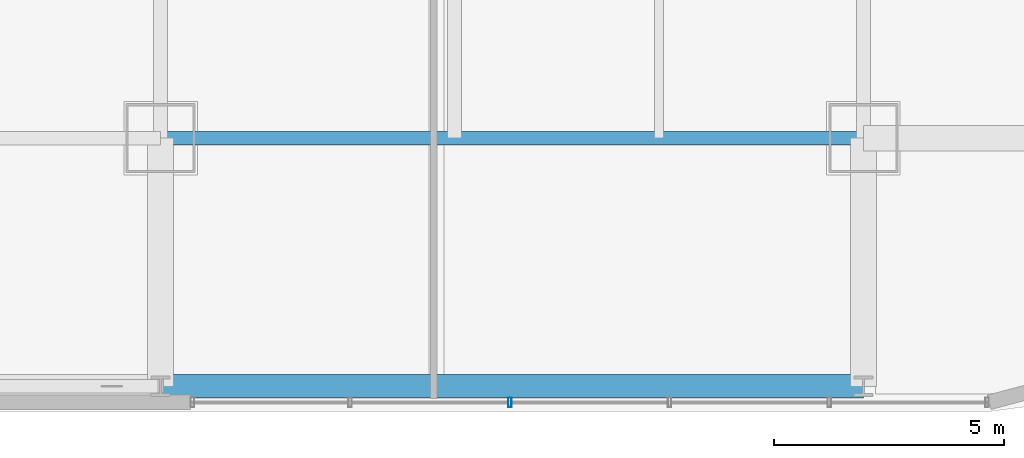
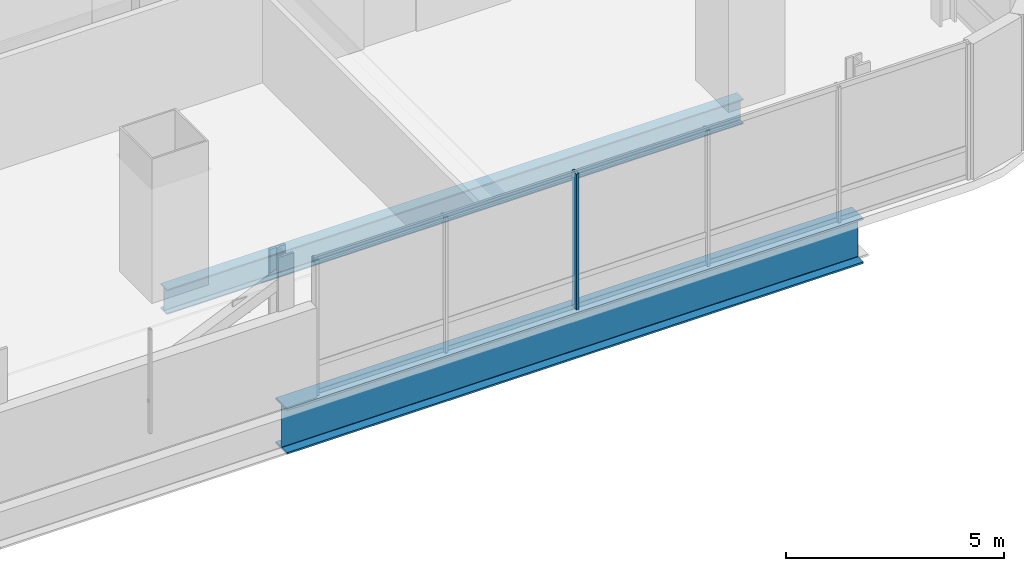
# One storey, part 5 of 40: 2 beams, 1 member, 1 element without a shape of its own.
"""IFC4 building model written with IfcOpenShell, lengths in metres."""

from ifc_helpers import new_model, si_unit, direction, frame, origin, origin_2d, place, context, subcontext, project, spatial, hollow_rectangle, i_section, extrude, material, material_profile, profile_set, type_object, element, aggregate, save


model = new_model("IFC4")

# Units and contexts
model_context = context("Model", 3, precision=1e-05, world=origin(), true_north=direction((0.0, 1.0)))
body_context = subcontext(model_context, "Body", "Model", "MODEL_VIEW")
ifc_project = project(units=[si_unit("LENGTHUNIT", "METRE"), si_unit("AREAUNIT", "SQUARE_METRE"), si_unit("VOLUMEUNIT", "CUBIC_METRE"), si_unit("PLANEANGLEUNIT", "RADIAN"), si_unit("MASSUNIT", "GRAM", prefix="KILO")], contexts=[model_context])

# Site, building, storey
site_placement = place(None, origin())
site = spatial("IfcSite", under=ifc_project, at=site_placement, CompositionType="ELEMENT")
building_placement = place(site_placement, origin())
building = spatial("IfcBuilding", under=site, at=building_placement, Name="Punatoya Terracotta Tower", CompositionType="ELEMENT")
storey_placement = place(building_placement, frame((0.0, 0.0, 76.800048828125)))
storey = spatial("IfcBuildingStorey", under=building, at=storey_placement, Name="L17", CompositionType="ELEMENT", Elevation=76.800048828125)

# Beams
ifc_material_1 = material(Name="Steel S355", Category="steel")
ifc_material_profile_1 = material_profile(ifc_material_1, i_section(OverallWidth=0.300048828125, OverallDepth=0.699951171875, WebThickness=0.01708984375, FlangeThickness=0.031982421875, FilletRadius=0.01806640625, at=origin_2d()))
ifc_profile_set_1 = profile_set([ifc_material_profile_1], Name="Steel S355")
beam_type_1 = type_object("IfcBeamType", Name="BM-PRI-700", PredefinedType="BEAM", material=ifc_profile_set_1)
beam_1_placement = place(storey_placement, frame((3.800048828125, -17.5, -0.590087890625), z_axis=(1.0, 0.0, 0.0), x_axis=(0.0, 1.0, 0.0)))
element("IfcBeam", 1, at=beam_1_placement, inside=storey, type_object=beam_type_1, Name="BM-L17-RG-S3", PredefinedType="BEAM", context=body_context, shape_type="SweptSolid", body=[
    extrude(i_section(OverallWidth=0.300048828125, OverallDepth=0.699951171875, WebThickness=0.01708984375, FlangeThickness=0.031982421875, FilletRadius=0.01806640625, at=origin_2d()), origin(), (0.0, 0.0, 1.0), 15.300048828125),
])
ifc_material_2 = material(Name="Steel S460", Category="steel")
ifc_material_profile_2 = material_profile(ifc_material_2, i_section(OverallWidth=0.52001953125, OverallDepth=1.280029296875, WebThickness=0.031982421875, FlangeThickness=0.050048828125, FilletRadius=0.01806640625, at=origin_2d()))
ifc_profile_set_2 = profile_set([ifc_material_profile_2], Name="Steel S460")
beam_type_2 = type_object("IfcBeamType", Name="BM-TG-NCK", PredefinedType="BEAM", material=ifc_profile_set_2)
beam_2_placement = place(storey_placement, frame((3.800048828125, -22.89990234375, -0.880126953125), z_axis=(1.0, 0.0, 0.0), x_axis=(0.0, 1.0, 0.0)))
element("IfcBeam", 2, at=beam_2_placement, inside=storey, type_object=beam_type_2, Name="BM-L17-PER-S3", PredefinedType="BEAM", context=body_context, shape_type="SweptSolid", body=[
    extrude(i_section(OverallWidth=0.52001953125, OverallDepth=1.280029296875, WebThickness=0.031982421875, FlangeThickness=0.050048828125, FilletRadius=0.01806640625, at=origin_2d()), origin(), (0.0, 0.0, 1.0), 15.300048828125),
])

# Curtain wall, member
ifc_material_3 = material(Name="Aluminium 6063-T6 + Double Low-E Glass", Category="aluminium")
curtain_wall_type = type_object("IfcCurtainWallType", Name="CW-M1", PredefinedType="NOTDEFINED", material=ifc_material_3)
curtain_wall_placement = place(storey_placement, origin())
curtain_wall = element("IfcCurtainWall", 3, at=curtain_wall_placement, inside=storey, type_object=curtain_wall_type, Name="L17 Curtain Wall CW-L17-S01-2", PredefinedType="NOTDEFINED")
ifc_material_4 = material(Name="Aluminium 6063-T6", Category="aluminium")
ifc_material_profile_3 = material_profile(ifc_material_4, hollow_rectangle(XDim=0.074951171875, YDim=0.2099609375, WallThickness=0.00439453125, at=origin_2d()))
ifc_profile_set_3 = profile_set([ifc_material_profile_3], Name="Aluminium 6063-T6")
member_type = type_object("IfcMemberType", Name="CW-MUL-M1", PredefinedType="MULLION", material=ifc_profile_set_3)
member_placement = place(storey_placement, frame((11.40478515625, -23.25, 0.0), z_axis=(0.0, 0.0, 1.0), x_axis=(1.0, 0.0, 0.0)))
member = element("IfcMember", 4, at=member_placement, type_object=member_type, Name="CW-L17-S01-2 Mullion 02", PredefinedType="MULLION", context=body_context, shape_type="SweptSolid", body=[
    extrude(hollow_rectangle(XDim=0.074951171875, YDim=0.2099609375, WallThickness=0.00439453125, at=origin_2d()), origin(), (0.0, 0.0, 1.0), 3.81005859375),
])
aggregate(curtain_wall, [member])

save(model, "model.ifc")
